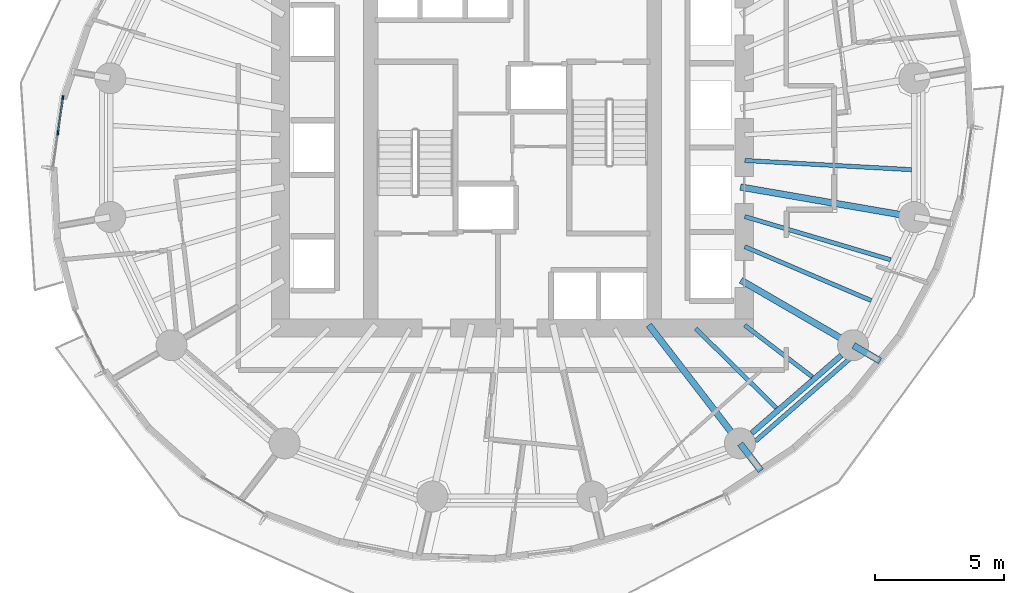
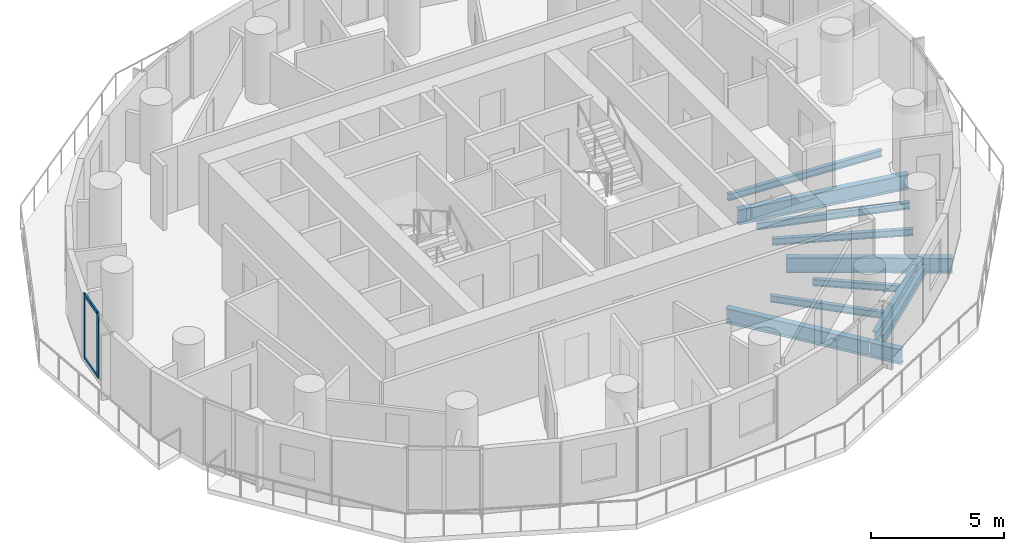
# One storey, part 3 of 14: 12 beams, 4 members, 1 element without a shape of its own.
"""IFC4 building model written with IfcOpenShell, lengths in metres."""

import ifcopenshell
import ifcopenshell.guid

model = None  # the IFC model being written
_history = None  # IfcOwnerHistory: only IFC2X3 demands one
_inside = {}  # id of a spatial element -> (the spatial element, [elements in it])
_under = {}  # id of a project, library or spatial element -> (it, [spatial elements below it])
_declared = {}  # id of a project -> (the project, [libraries it declares])
_typed = {}  # id of a type object -> (the type object, [elements of that type])
_made_of = {}  # id of a material, layer set ... -> (it, [elements and type objects made of it])


def new_model(schema):
    """Start an empty IFC model of exactly this schema.

    Asked for "IFC4X3", IfcOpenShell would pick the latest addendum, in which some entities
    have other attributes; the version numbers below select the first issue.
    IFC2X3 requires an IfcOwnerHistory on every rooted entity: one is made here for all.
    """
    global model, _history
    if schema == "IFC4X3":
        model = ifcopenshell.file(schema_version=(4, 3, 0, 0))
    else:
        model = ifcopenshell.file(schema=schema)
    _inside.clear()
    _under.clear()
    _declared.clear()
    _typed.clear()
    _made_of.clear()
    _history = None
    if model.schema == "IFC2X3":
        org = make("IfcOrganization", Name="unknown")
        user = make(
            "IfcPersonAndOrganization",
            ThePerson=make("IfcPerson", FamilyName="unknown"),
            TheOrganization=org,
        )
        app = make(
            "IfcApplication",
            ApplicationDeveloper=org,
            Version="unknown",
            ApplicationFullName="unknown",
            ApplicationIdentifier="unknown",
        )
        _history = make(
            "IfcOwnerHistory",
            OwningUser=user,
            OwningApplication=app,
            ChangeAction="ADDED",
            CreationDate=0,
        )
    return model


def make(cls, **values):
    """One entity of the class cls with the attributes given. An attribute that is None is left unset."""
    return model.create_entity(
        cls, **{name: value for name, value in values.items() if value is not None}
    )


def rooted(cls, **values):
    """An entity with a GlobalId (a new one), such as an element, a storey or a relation."""
    return make(cls, GlobalId=ifcopenshell.guid.new(), OwnerHistory=_history, **values)


def si_unit(unit_type, name, prefix=None):
    """IfcSIUnit, for example si_unit("LENGTHUNIT", "METRE", prefix="MILLI")."""
    return make("IfcSIUnit", UnitType=unit_type, Prefix=prefix, Name=name)


def assignment(units):
    """IfcUnitAssignment: the units of a project."""
    return None if units is None else make("IfcUnitAssignment", Units=units)


def point(xyz):
    """IfcCartesianPoint."""
    return None if xyz is None else make("IfcCartesianPoint", Coordinates=xyz)


def direction(xyz):
    """IfcDirection."""
    return None if xyz is None else make("IfcDirection", DirectionRatios=xyz)


def frame(location, z_axis=None, x_axis=None):
    """IfcAxis2Placement3D, a coordinate frame: its origin and axes. An axis left out is left unset."""
    return make(
        "IfcAxis2Placement3D",
        Location=point(location),
        Axis=direction(z_axis),
        RefDirection=direction(x_axis),
    )


def frame_2d(location, x_axis=None):
    """IfcAxis2Placement2D, a coordinate frame in the plane: its origin and x axis."""
    return make(
        "IfcAxis2Placement2D", Location=point(location), RefDirection=direction(x_axis)
    )


def origin():
    """The frame at (0, 0, 0) with its axes left unset."""
    return frame((0.0, 0.0, 0.0))


def origin_2d():
    """The frame at (0, 0) in the plane with its x axis left unset."""
    return frame_2d((0.0, 0.0))


def place(relative_to, where):
    """IfcLocalPlacement: puts the frame where relative to a parent placement (None: the world)."""
    return make(
        "IfcLocalPlacement", PlacementRelTo=relative_to, RelativePlacement=where
    )


def context(
    kind, dimensions, precision=None, world=None, true_north=None, identifier=None
):
    """IfcGeometricRepresentationContext, for example the 3D "Model" context."""
    return make(
        "IfcGeometricRepresentationContext",
        ContextIdentifier=identifier,
        ContextType=kind,
        CoordinateSpaceDimension=dimensions,
        Precision=precision,
        WorldCoordinateSystem=world,
        TrueNorth=true_north,
    )


def subcontext(parent, identifier, kind, view, scale=None):
    """IfcGeometricRepresentationSubContext, for example "Body" below "Model"."""
    return make(
        "IfcGeometricRepresentationSubContext",
        ContextIdentifier=identifier,
        ContextType=kind,
        ParentContext=parent,
        TargetScale=scale,
        TargetView=view,
    )


def project(units=None, contexts=None):
    """IfcProject with its units and contexts."""
    return rooted(
        "IfcProject",
        Name="project",
        RepresentationContexts=contexts,
        UnitsInContext=assignment(units),
    )


def spatial(cls, under=None, at=None, **own):
    """A site, building, storey or space (cls), placed at a placement, below another one or the project."""
    s = rooted(cls, ObjectPlacement=at, **own)
    if under is not None:
        _under.setdefault(under.id(), (under, []))[1].append(s)
    return s


def profile(cls, at=None, kind="AREA", **sizes):
    """A parametric profile (cls). Its sizes go by their IFC names, for example OverallWidth=200.0."""
    return make(cls, ProfileType=kind, Position=at, **sizes)


def rectangle(**sizes):
    """IfcRectangleProfileDef."""
    return profile("IfcRectangleProfileDef", **sizes)


def i_section(**sizes):
    """IfcIShapeProfileDef."""
    return profile("IfcIShapeProfileDef", **sizes)


def extrude(swept, where, along, depth):
    """IfcExtrudedAreaSolid: the profile swept, set in the frame where, extruded along a direction by depth."""
    return make(
        "IfcExtrudedAreaSolid",
        SweptArea=swept,
        Position=where,
        ExtrudedDirection=direction(along),
        Depth=depth,
    )


def shape(context_of_items, identifier, shape_type, items):
    """IfcShapeRepresentation: the items that make up one representation, for example the "Body"."""
    return make(
        "IfcShapeRepresentation",
        ContextOfItems=context_of_items,
        RepresentationIdentifier=identifier,
        RepresentationType=shape_type,
        Items=items,
    )


def material(Name=None, Category=None):
    """IfcMaterial."""
    return make("IfcMaterial", Name=Name, Category=Category)


def material_profile(
    of_material, cross_section, Name=None, Category=None, Priority=None
):
    """IfcMaterialProfile: a cross section and its material."""
    return make(
        "IfcMaterialProfile",
        Name=Name,
        Material=of_material,
        Profile=cross_section,
        Priority=Priority,
        Category=Category,
    )


def profile_set(profiles, Name=None, composite=None):
    """IfcMaterialProfileSet."""
    return make(
        "IfcMaterialProfileSet",
        Name=Name,
        MaterialProfiles=profiles,
        CompositeProfile=composite,
    )


def made_of(thing, what):
    """Note that an element or type object is made of a material, layer set ...; save() writes the relation."""
    if what is not None:
        _made_of.setdefault(what.id(), (what, []))[1].append(thing)
    return thing


def type_object(cls, material=None, **own):
    """A type object (cls), such as IfcWallType, which elements share."""
    return made_of(rooted(cls, **own), material)


def element(
    cls,
    number,
    at=None,
    inside=None,
    cuts=None,
    type_object=None,
    material=None,
    context=None,
    identifier="Body",
    shape_type=None,
    held_by="IfcProductDefinitionShape",
    body=None,
    shapes=None,
    **own,
):
    """One element of the class cls, such as IfcWall. Its Tag is "e" and its number.

    at: its placement. inside: the storey or other place that contains it. cuts: it is an
    opening in that element (IfcRelVoidsElement). A single representation is given by context,
    identifier, shape_type and body (its items); several are given by shapes. held_by: the class
    of the entity that holds the representations. save() writes the other relations.
    """
    e = rooted(cls, Tag="e%d" % number, ObjectPlacement=at, **own)
    if body is not None:
        shapes = [shape(context, identifier, shape_type, body)]
    if shapes is not None:
        e.Representation = make(held_by, Representations=shapes)
    if inside is not None:
        _inside.setdefault(inside.id(), (inside, []))[1].append(e)
    if cuts is not None:
        rooted(
            "IfcRelVoidsElement", RelatingBuildingElement=cuts, RelatedOpeningElement=e
        )
    if type_object is not None:
        _typed.setdefault(type_object.id(), (type_object, []))[1].append(e)
    return made_of(e, material)


def aggregate(whole, parts):
    """IfcRelAggregates: a whole, such as a stair, and the parts it consists of."""
    return rooted("IfcRelAggregates", RelatingObject=whole, RelatedObjects=parts)


def save(model, path):
    """Write the relations noted so far, then the file.

    IfcRelAggregates (storeys below a building ...), IfcRelContainedInSpatialStructure (elements
    in a storey), IfcRelDefinesByType, IfcRelAssociatesMaterial and IfcRelDeclares: one each for
    every whole, place, type object, material and project.
    """
    for whole, parts in _under.values():
        aggregate(whole, parts)
    for where, things in _inside.values():
        rooted(
            "IfcRelContainedInSpatialStructure",
            RelatedElements=things,
            RelatingStructure=where,
        )
    for kind, things in _typed.values():
        rooted("IfcRelDefinesByType", RelatedObjects=things, RelatingType=kind)
    for what, things in _made_of.values():
        rooted("IfcRelAssociatesMaterial", RelatedObjects=things, RelatingMaterial=what)
    for by, libraries in _declared.values():
        rooted("IfcRelDeclares", RelatingContext=by, RelatedDefinitions=libraries)
    model.write(path)


model = new_model("IFC4")

# Units and contexts
model_context = context("Model", 3, precision=1e-05, world=origin(), true_north=direction((0.0, 1.0)))
body_context = subcontext(model_context, "Body", "Model", "MODEL_VIEW")
ifc_project = project(units=[si_unit("LENGTHUNIT", "METRE"), si_unit("AREAUNIT", "SQUARE_METRE"), si_unit("VOLUMEUNIT", "CUBIC_METRE"), si_unit("PLANEANGLEUNIT", "RADIAN"), si_unit("MASSUNIT", "GRAM", prefix="KILO")], contexts=[model_context])

# Site, building, storey
site_placement = place(None, origin())
site = spatial("IfcSite", under=ifc_project, at=site_placement, CompositionType="ELEMENT")
building_placement = place(site_placement, origin())
building = spatial("IfcBuilding", under=site, at=building_placement, Name="Veldorim Arch Residences", CompositionType="ELEMENT")
storey_placement = place(building_placement, frame((0.0, 0.0, 90.080078125)))
storey = spatial("IfcBuildingStorey", under=building, at=storey_placement, Name="L26", CompositionType="ELEMENT", Elevation=90.080078125)

# Beams
ifc_material_1 = material(Name="Steel S355", Category="steel")
ifc_material_profile_1 = material_profile(ifc_material_1, i_section(OverallWidth=0.2119140625, OverallDepth=0.54443359375, WebThickness=0.0126953125, FlangeThickness=0.021240234375, at=origin_2d()), Name="UB533x210x122")
ifc_profile_set_1 = profile_set([ifc_material_profile_1], Name="Steel S355")
beam_type_1 = type_object("IfcBeamType", Name="Structural Steel Beam UB533x210x122", PredefinedType="BEAM", material=ifc_profile_set_1)
beam_1_placement = place(storey_placement, frame((41.28662109375, 12.9189453125, -0.51220703125), z_axis=(0.755244952556, 0.655442645576, 0.0), x_axis=(-0.655442645576, 0.755244952556, 0.0)))
element("IfcBeam", 1, at=beam_1_placement, inside=storey, type_object=beam_type_1, Name="L26 perimeter ring tie beam 14", PredefinedType="BEAM", context=body_context, shape_type="SweptSolid", body=[
    extrude(i_section(OverallWidth=0.2119140625, OverallDepth=0.54443359375, WebThickness=0.0126953125, FlangeThickness=0.021240234375, at=origin_2d()), origin(), (0.0, 0.0, 1.0), 4.608642578125),
])
ifc_material_2 = material(Name="Steel S355", Category="steel")
ifc_material_profile_2 = material_profile(ifc_material_2, i_section(OverallWidth=0.25439453125, OverallDepth=0.6875, WebThickness=0.01318359375, FlangeThickness=0.02099609375, at=origin_2d()), Name="UB686x254x152")
ifc_profile_set_2 = profile_set([ifc_material_profile_2], Name="Steel S355")
beam_type_2 = type_object("IfcBeamType", Name="Structural Steel GIRDER UB686x254x152", PredefinedType="USERDEFINED", material=ifc_profile_set_2)
beam_2_placement = place(storey_placement, frame((37.297607421875, 17.118896484375, -0.583740234375), z_axis=(0.609994628196, -0.792405548676, 0.0), x_axis=(0.792405548676, 0.609994628196, 0.0)))
element("IfcBeam", 2, at=beam_2_placement, inside=storey, type_object=beam_type_2, Name="L26 radial floor girder 14", ObjectType="GIRDER", PredefinedType="USERDEFINED", context=body_context, shape_type="SweptSolid", body=[
    extrude(i_section(OverallWidth=0.25439453125, OverallDepth=0.6875, WebThickness=0.01318359375, FlangeThickness=0.02099609375, at=origin_2d()), origin(), (0.0, 0.0, 1.0), 5.776611328125),
])
beam_3_placement = place(storey_placement, frame((40.845703125, 12.510009765625, -0.583740234375), z_axis=(0.609952716704, -0.792437810421, 0.0), x_axis=(0.792437810421, 0.609952716704, 0.0)))
element("IfcBeam", 3, at=beam_3_placement, inside=storey, type_object=beam_type_2, Name="L26 radial edge cantilever girder 14", ObjectType="GIRDER", PredefinedType="USERDEFINED", context=body_context, shape_type="SweptSolid", body=[
    extrude(i_section(OverallWidth=0.25439453125, OverallDepth=0.6875, WebThickness=0.01318359375, FlangeThickness=0.02099609375, at=origin_2d()), origin(), (0.0, 0.0, 1.0), 1.31640625),
])
beam_4_placement = place(storey_placement, frame((40.8701171875, 18.85595703125, -0.583740234375), z_axis=(0.865048957682, -0.501687453314, 0.0), x_axis=(0.501687453314, 0.865048957682, 0.0)))
element("IfcBeam", 4, at=beam_4_placement, inside=storey, type_object=beam_type_2, Name="L26 radial floor girder 15", ObjectType="GIRDER", PredefinedType="USERDEFINED", context=body_context, shape_type="SweptSolid", body=[
    extrude(i_section(OverallWidth=0.25439453125, OverallDepth=0.6875, WebThickness=0.01318359375, FlangeThickness=0.02099609375, at=origin_2d()), origin(), (0.0, 0.0, 1.0), 5.009033203125),
])
beam_5_placement = place(storey_placement, frame((45.23779296875, 16.322998046875, -0.583740234375), z_axis=(0.865034732672, -0.501711980394, 0.0), x_axis=(0.501711980394, 0.865034732672, 0.0)))
element("IfcBeam", 5, at=beam_5_placement, inside=storey, type_object=beam_type_2, Name="L26 radial edge cantilever girder 15", ObjectType="GIRDER", PredefinedType="USERDEFINED", context=body_context, shape_type="SweptSolid", body=[
    extrude(i_section(OverallWidth=0.25439453125, OverallDepth=0.6875, WebThickness=0.01318359375, FlangeThickness=0.02099609375, at=origin_2d()), origin(), (0.0, 0.0, 1.0), 1.196044921875),
])
beam_6_placement = place(storey_placement, frame((40.852294921875, 22.4716796875, -0.583740234375), z_axis=(0.985426622718, -0.17010106184, 0.0), x_axis=(0.17010106184, 0.985426622718, 0.0)))
element("IfcBeam", 6, at=beam_6_placement, inside=storey, type_object=beam_type_2, Name="L26 radial floor girder 16", ObjectType="GIRDER", PredefinedType="USERDEFINED", context=body_context, shape_type="SweptSolid", body=[
    extrude(i_section(OverallWidth=0.25439453125, OverallDepth=0.6875, WebThickness=0.01318359375, FlangeThickness=0.02099609375, at=origin_2d()), origin(), (0.0, 0.0, 1.0), 6.82177734375),
])
ifc_material_3 = material(Name="Steel S355", Category="steel")
ifc_material_profile_3 = material_profile(ifc_material_3, i_section(OverallWidth=0.165771484375, OverallDepth=0.306640625, WebThickness=0.006591796875, FlangeThickness=0.01171875, at=origin_2d()), Name="UB305x165x46")
ifc_profile_set_3 = profile_set([ifc_material_profile_3], Name="Steel S355")
beam_type_3 = type_object("IfcBeamType", Name="Structural Steel Joist UB305x165x46", PredefinedType="JOIST", material=ifc_profile_set_3)
beam_7_placement = place(storey_placement, frame((39.114013671875, 16.986083984375, -0.393310546875), z_axis=(0.712111629941, -0.702066255066, 0.0), x_axis=(0.702066255066, 0.712111629941, 0.0)))
element("IfcBeam", 7, at=beam_7_placement, inside=storey, type_object=beam_type_3, Name="L26 secondary radial floor joist 14-1", PredefinedType="JOIST", context=body_context, shape_type="SweptSolid", body=[
    extrude(i_section(OverallWidth=0.165771484375, OverallDepth=0.306640625, WebThickness=0.006591796875, FlangeThickness=0.01171875, at=origin_2d()), origin(), (0.0, 0.0, 1.0), 4.39892578125),
])
beam_8_placement = place(storey_placement, frame((41.015869140625, 17.111572265625, -0.393310546875), z_axis=(0.794594763594, -0.60714014994, 0.0), x_axis=(0.60714014994, 0.794594763594, 0.0)))
element("IfcBeam", 8, at=beam_8_placement, inside=storey, type_object=beam_type_3, Name="L26 secondary radial floor joist 14-2", PredefinedType="JOIST", context=body_context, shape_type="SweptSolid", body=[
    extrude(i_section(OverallWidth=0.165771484375, OverallDepth=0.306640625, WebThickness=0.006591796875, FlangeThickness=0.01171875, at=origin_2d()), origin(), (0.0, 0.0, 1.0), 3.30419921875),
])
beam_9_placement = place(storey_placement, frame((41.018310546875, 20.158447265625, -0.393310546875), z_axis=(0.919997395122, -0.391924473552, 0.0), x_axis=(0.391924473552, 0.919997395122, 0.0)))
element("IfcBeam", 9, at=beam_9_placement, inside=storey, type_object=beam_type_3, Name="L26 secondary radial floor joist 15-1", PredefinedType="JOIST", context=body_context, shape_type="SweptSolid", body=[
    extrude(i_section(OverallWidth=0.165771484375, OverallDepth=0.306640625, WebThickness=0.006591796875, FlangeThickness=0.01171875, at=origin_2d()), origin(), (0.0, 0.0, 1.0), 5.334716796875),
])
beam_10_placement = place(storey_placement, frame((41.019287109375, 21.326416015625, -0.393310546875), z_axis=(0.958753061488, -0.284240333324, 0.0), x_axis=(0.284240333324, 0.958753061488, 0.0)))
element("IfcBeam", 10, at=beam_10_placement, inside=storey, type_object=beam_type_3, Name="L26 secondary radial floor joist 15-2", PredefinedType="JOIST", context=body_context, shape_type="SweptSolid", body=[
    extrude(i_section(OverallWidth=0.165771484375, OverallDepth=0.306640625, WebThickness=0.006591796875, FlangeThickness=0.01171875, at=origin_2d()), origin(), (0.0, 0.0, 1.0), 5.906005859375),
])
beam_11_placement = place(storey_placement, frame((41.02001953125, 23.501708984375, -0.393310546875), z_axis=(0.99847713097, -0.055167190702, 0.0), x_axis=(0.055167190702, 0.99847713097, 0.0)))
element("IfcBeam", 11, at=beam_11_placement, inside=storey, type_object=beam_type_3, Name="L26 secondary radial floor joist 16-1", PredefinedType="JOIST", context=body_context, shape_type="SweptSolid", body=[
    extrude(i_section(OverallWidth=0.165771484375, OverallDepth=0.306640625, WebThickness=0.006591796875, FlangeThickness=0.01171875, at=origin_2d()), origin(), (0.0, 0.0, 1.0), 6.474365234375),
])
ifc_material_4 = material(Name="Steel S355", Category="steel")
ifc_material_profile_4 = material_profile(ifc_material_4, i_section(OverallWidth=0.1787109375, OverallDepth=0.409423828125, WebThickness=0.0087890625, FlangeThickness=0.014404296875, at=origin_2d()), Name="UB406x178x67")
ifc_profile_set_4 = profile_set([ifc_material_profile_4], Name="Steel S355")
beam_type_4 = type_object("IfcBeamType", Name="Structural Steel Spandrel UB406x178x67", PredefinedType="SPANDREL", material=ifc_profile_set_4)
beam_12_placement = place(storey_placement, frame((41.4326171875, 12.611572265625, -0.46484375), z_axis=(0.753323239074, 0.65765043714, 0.0), x_axis=(-0.65765043714, 0.753323239074, 0.0)))
element("IfcBeam", 12, at=beam_12_placement, inside=storey, type_object=beam_type_4, Name="L26 perimeter chord spandrel beam 14", PredefinedType="SPANDREL", context=body_context, shape_type="SweptSolid", body=[
    extrude(i_section(OverallWidth=0.1787109375, OverallDepth=0.409423828125, WebThickness=0.0087890625, FlangeThickness=0.014404296875, at=origin_2d()), origin(), (0.0, 0.0, 1.0), 4.879150390625),
])

# Curtain wall, members
ifc_material_5 = material(Name="Aluminium", Category="aluminium")
curtain_wall_type = type_object("IfcCurtainWallType", Name="Zone 2 Solar-Control Unitised Curtain Wall", PredefinedType="NOTDEFINED", material=ifc_material_5)
curtain_wall_placement = place(storey_placement, origin())
curtain_wall = element("IfcCurtainWall", 13, at=curtain_wall_placement, inside=storey, type_object=curtain_wall_type, Name="L26 unitised curtain wall bay 16", PredefinedType="NOTDEFINED")
ifc_material_6 = material(Name="Aluminium", Category="aluminium")
ifc_material_profile_5 = material_profile(ifc_material_6, rectangle(XDim=0.06494140625, YDim=0.1650390625, at=origin_2d()), Name="ALU_MUL_65x165")
ifc_profile_set_5 = profile_set([ifc_material_profile_5], Name="Aluminium")
member_type_1 = type_object("IfcMemberType", Name="Zone 2 Solar-Control Unitised Curtain Wall Mullion 65x165", PredefinedType="MULLION", material=ifc_profile_set_5)
member_1_placement = place(storey_placement, frame((14.371337890625, 24.568603515625, 0.0), z_axis=(0.0, 0.0, 1.0), x_axis=(-0.990070536302, 0.140571452105, 0.0)))
member_1 = element("IfcMember", 14, at=member_1_placement, type_object=member_type_1, Name="CW-Z2 mullion 2", PredefinedType="MULLION", context=body_context, shape_type="SweptSolid", body=[
    extrude(rectangle(XDim=0.06494140625, YDim=0.1650390625, at=origin_2d()), origin(), (0.0, 0.0, 1.0), 2.9599609375),
])
member_2_placement = place(storey_placement, frame((14.56591796875, 25.93896484375, 0.0), z_axis=(0.0, 0.0, 1.0), x_axis=(-0.990070536302, 0.140571452105, 0.0)))
member_2 = element("IfcMember", 15, at=member_2_placement, type_object=member_type_1, Name="CW-Z2 mullion 3", PredefinedType="MULLION", context=body_context, shape_type="SweptSolid", body=[
    extrude(rectangle(XDim=0.06494140625, YDim=0.1650390625, at=origin_2d()), origin(), (0.0, 0.0, 1.0), 2.9599609375),
])
ifc_material_7 = material(Name="Aluminium", Category="aluminium")
ifc_material_profile_6 = material_profile(ifc_material_7, rectangle(XDim=0.06494140625, YDim=0.14501953125, at=origin_2d()), Name="ALU_TRN_65x145")
ifc_profile_set_6 = profile_set([ifc_material_profile_6], Name="Aluminium")
member_type_2 = type_object("IfcMemberType", Name="Zone 2 Solar-Control Unitised Curtain Wall Transom 65x145", PredefinedType="USERDEFINED", material=ifc_profile_set_6)
member_3_placement = place(storey_placement, frame((14.375732421875, 24.600830078125, 0.032470703125), z_axis=(0.140669842386, 0.990056561739, 0.0), x_axis=(-0.990056561739, 0.140669842386, 0.0)))
member_3 = element("IfcMember", 16, at=member_3_placement, type_object=member_type_2, Name="CW-Z2 transom 2.1", ObjectType="TRANSOM", PredefinedType="USERDEFINED", context=body_context, shape_type="SweptSolid", body=[
    extrude(rectangle(XDim=0.06494140625, YDim=0.14501953125, at=origin_2d()), origin(), (0.0, 0.0, 1.0), 1.319091796875),
])
member_4_placement = place(storey_placement, frame((14.375732421875, 24.600830078125, 2.927490234375), z_axis=(0.140669842386, 0.990056561739, 0.0), x_axis=(-0.990056561739, 0.140669842386, 0.0)))
member_4 = element("IfcMember", 17, at=member_4_placement, type_object=member_type_2, Name="CW-Z2 transom 2.2", ObjectType="TRANSOM", PredefinedType="USERDEFINED", context=body_context, shape_type="SweptSolid", body=[
    extrude(rectangle(XDim=0.06494140625, YDim=0.14501953125, at=origin_2d()), origin(), (0.0, 0.0, 1.0), 1.319091796875),
])
aggregate(curtain_wall, [member_1, member_2, member_3, member_4])

save(model, "model.ifc")
